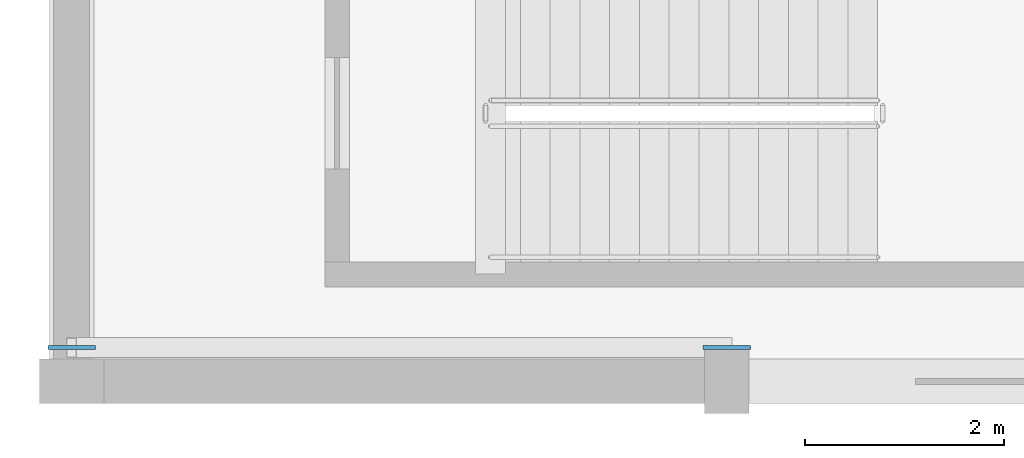
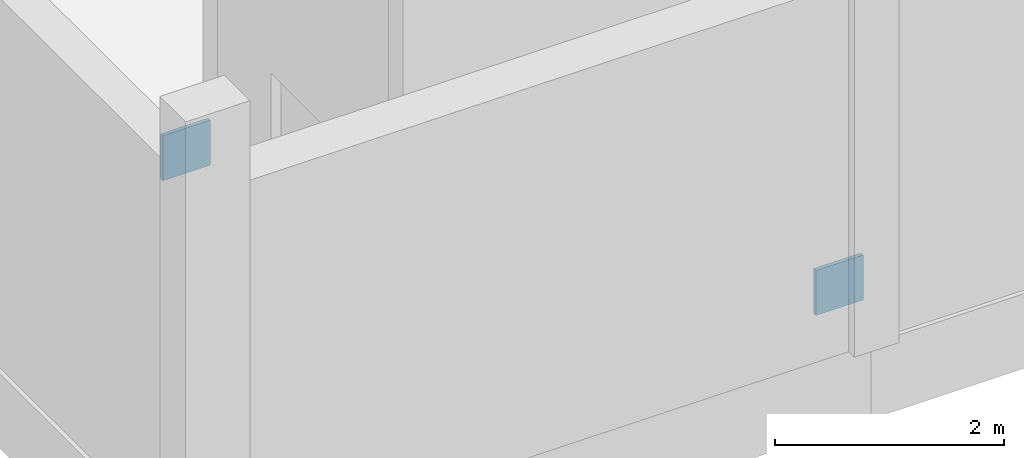
# One storey, part 80 of 125: 2 plates.
"""IFC4 building model written with IfcOpenShell, lengths in metres."""

from ifc_helpers import new_model, si_unit, direction, frame, origin, origin_2d, place, context, subcontext, project, spatial, rectangle, extrude, material, layer, layer_set, type_object, element, save


model = new_model("IFC4")

# Units and contexts
model_context = context("Model", 3, precision=1e-05, world=origin(), true_north=direction((0.0, 1.0)))
body_context = subcontext(model_context, "Body", "Model", "MODEL_VIEW")
ifc_project = project(units=[si_unit("LENGTHUNIT", "METRE"), si_unit("AREAUNIT", "SQUARE_METRE"), si_unit("VOLUMEUNIT", "CUBIC_METRE"), si_unit("PLANEANGLEUNIT", "RADIAN"), si_unit("MASSUNIT", "GRAM", prefix="KILO")], contexts=[model_context])

# Site, building, storey
site_placement = place(None, origin())
site = spatial("IfcSite", under=ifc_project, at=site_placement, CompositionType="ELEMENT")
building_placement = place(site_placement, origin())
building = spatial("IfcBuilding", under=site, at=building_placement, Name="Dornvale Research Institute", CompositionType="ELEMENT")
storey_placement = place(building_placement, frame((0.0, 0.0, 5.39990234375)))
storey = spatial("IfcBuildingStorey", under=building, at=storey_placement, Name="L01", CompositionType="ELEMENT", Elevation=5.39990234375)

# Plates
ifc_material = material(Name="Steel ASTM A572 Grade 50", Category="steel")
ifc_layer = layer(ifc_material, 0.0400390625)
ifc_layer_set = layer_set([ifc_layer], Name="Steel ASTM A572 Grade 50")
plate_type = type_object("IfcPlateType", Name="SheetPlate_Base_40", PredefinedType="SHEET", material=ifc_layer_set)
for number, where, z_axis, x_axis, name in (
    (1, (6.60009765625, 0.340087890625, 0.06005859375), (0.0, 0.0, 1.0), (1.0, 0.0, 0.0), "HSS brace node gusset and cap plate ND-073"),
    (2, (0.0, 0.340087890625, 3.81005859375), (0.0, 0.0, 1.0), (1.0, 0.0, 0.0), "HSS brace node gusset and cap plate ND-074"),
):
    element("IfcPlate", number, at=place(storey_placement, frame(where, z_axis=z_axis, x_axis=x_axis)), inside=storey, type_object=plate_type, Name=name, PredefinedType="SHEET", context=body_context, shape_type="SweptSolid", body=[
        extrude(rectangle(XDim=0.47998046875, YDim=0.0400390625, at=origin_2d()), origin(), (0.0, 0.0, 1.0), 0.47998046875),
    ])

save(model, "model.ifc")
